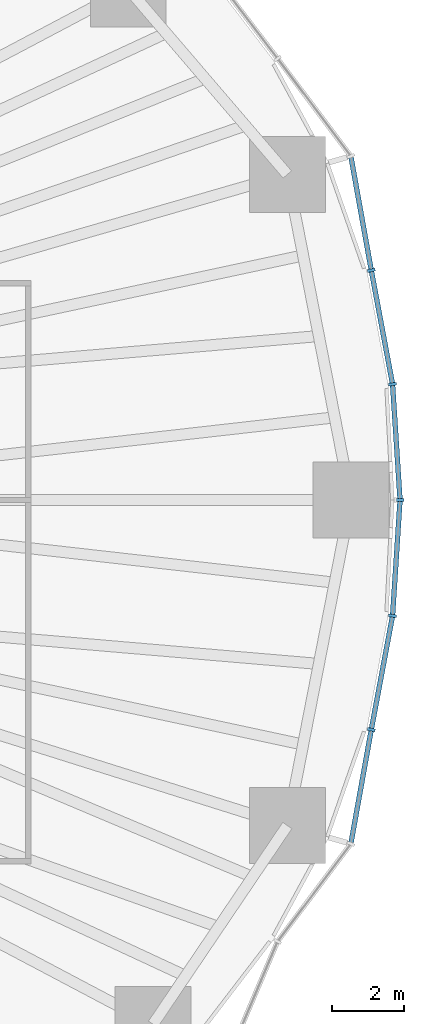
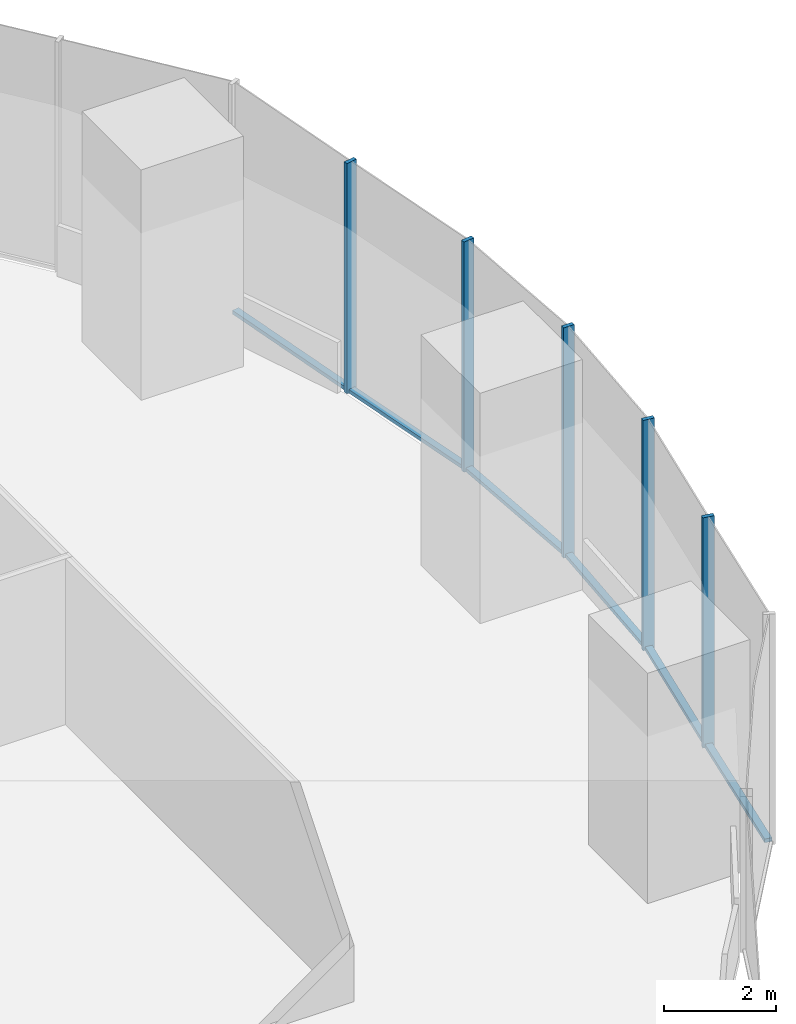
# One storey, part 7 of 20: 11 members, 2 elements without a shape of their own.
"""IFC4 building model written with IfcOpenShell, lengths in metres."""

import ifcopenshell
import ifcopenshell.guid

model = None  # the IFC model being written
_history = None  # IfcOwnerHistory: only IFC2X3 demands one
_inside = {}  # id of a spatial element -> (the spatial element, [elements in it])
_under = {}  # id of a project, library or spatial element -> (it, [spatial elements below it])
_declared = {}  # id of a project -> (the project, [libraries it declares])
_typed = {}  # id of a type object -> (the type object, [elements of that type])
_made_of = {}  # id of a material, layer set ... -> (it, [elements and type objects made of it])


def new_model(schema):
    """Start an empty IFC model of exactly this schema.

    Asked for "IFC4X3", IfcOpenShell would pick the latest addendum, in which some entities
    have other attributes; the version numbers below select the first issue.
    IFC2X3 requires an IfcOwnerHistory on every rooted entity: one is made here for all.
    """
    global model, _history
    if schema == "IFC4X3":
        model = ifcopenshell.file(schema_version=(4, 3, 0, 0))
    else:
        model = ifcopenshell.file(schema=schema)
    _inside.clear()
    _under.clear()
    _declared.clear()
    _typed.clear()
    _made_of.clear()
    _history = None
    if model.schema == "IFC2X3":
        org = make("IfcOrganization", Name="unknown")
        user = make(
            "IfcPersonAndOrganization",
            ThePerson=make("IfcPerson", FamilyName="unknown"),
            TheOrganization=org,
        )
        app = make(
            "IfcApplication",
            ApplicationDeveloper=org,
            Version="unknown",
            ApplicationFullName="unknown",
            ApplicationIdentifier="unknown",
        )
        _history = make(
            "IfcOwnerHistory",
            OwningUser=user,
            OwningApplication=app,
            ChangeAction="ADDED",
            CreationDate=0,
        )
    return model


def make(cls, **values):
    """One entity of the class cls with the attributes given. An attribute that is None is left unset."""
    return model.create_entity(
        cls, **{name: value for name, value in values.items() if value is not None}
    )


def rooted(cls, **values):
    """An entity with a GlobalId (a new one), such as an element, a storey or a relation."""
    return make(cls, GlobalId=ifcopenshell.guid.new(), OwnerHistory=_history, **values)


def si_unit(unit_type, name, prefix=None):
    """IfcSIUnit, for example si_unit("LENGTHUNIT", "METRE", prefix="MILLI")."""
    return make("IfcSIUnit", UnitType=unit_type, Prefix=prefix, Name=name)


def assignment(units):
    """IfcUnitAssignment: the units of a project."""
    return None if units is None else make("IfcUnitAssignment", Units=units)


def point(xyz):
    """IfcCartesianPoint."""
    return None if xyz is None else make("IfcCartesianPoint", Coordinates=xyz)


def direction(xyz):
    """IfcDirection."""
    return None if xyz is None else make("IfcDirection", DirectionRatios=xyz)


def frame(location, z_axis=None, x_axis=None):
    """IfcAxis2Placement3D, a coordinate frame: its origin and axes. An axis left out is left unset."""
    return make(
        "IfcAxis2Placement3D",
        Location=point(location),
        Axis=direction(z_axis),
        RefDirection=direction(x_axis),
    )


def frame_2d(location, x_axis=None):
    """IfcAxis2Placement2D, a coordinate frame in the plane: its origin and x axis."""
    return make(
        "IfcAxis2Placement2D", Location=point(location), RefDirection=direction(x_axis)
    )


def origin():
    """The frame at (0, 0, 0) with its axes left unset."""
    return frame((0.0, 0.0, 0.0))


def origin_2d():
    """The frame at (0, 0) in the plane with its x axis left unset."""
    return frame_2d((0.0, 0.0))


def place(relative_to, where):
    """IfcLocalPlacement: puts the frame where relative to a parent placement (None: the world)."""
    return make(
        "IfcLocalPlacement", PlacementRelTo=relative_to, RelativePlacement=where
    )


def context(
    kind, dimensions, precision=None, world=None, true_north=None, identifier=None
):
    """IfcGeometricRepresentationContext, for example the 3D "Model" context."""
    return make(
        "IfcGeometricRepresentationContext",
        ContextIdentifier=identifier,
        ContextType=kind,
        CoordinateSpaceDimension=dimensions,
        Precision=precision,
        WorldCoordinateSystem=world,
        TrueNorth=true_north,
    )


def subcontext(parent, identifier, kind, view, scale=None):
    """IfcGeometricRepresentationSubContext, for example "Body" below "Model"."""
    return make(
        "IfcGeometricRepresentationSubContext",
        ContextIdentifier=identifier,
        ContextType=kind,
        ParentContext=parent,
        TargetScale=scale,
        TargetView=view,
    )


def project(units=None, contexts=None):
    """IfcProject with its units and contexts."""
    return rooted(
        "IfcProject",
        Name="project",
        RepresentationContexts=contexts,
        UnitsInContext=assignment(units),
    )


def spatial(cls, under=None, at=None, **own):
    """A site, building, storey or space (cls), placed at a placement, below another one or the project."""
    s = rooted(cls, ObjectPlacement=at, **own)
    if under is not None:
        _under.setdefault(under.id(), (under, []))[1].append(s)
    return s


def profile(cls, at=None, kind="AREA", **sizes):
    """A parametric profile (cls). Its sizes go by their IFC names, for example OverallWidth=200.0."""
    return make(cls, ProfileType=kind, Position=at, **sizes)


def rectangle(**sizes):
    """IfcRectangleProfileDef."""
    return profile("IfcRectangleProfileDef", **sizes)


def extrude(swept, where, along, depth):
    """IfcExtrudedAreaSolid: the profile swept, set in the frame where, extruded along a direction by depth."""
    return make(
        "IfcExtrudedAreaSolid",
        SweptArea=swept,
        Position=where,
        ExtrudedDirection=direction(along),
        Depth=depth,
    )


def shape(context_of_items, identifier, shape_type, items):
    """IfcShapeRepresentation: the items that make up one representation, for example the "Body"."""
    return make(
        "IfcShapeRepresentation",
        ContextOfItems=context_of_items,
        RepresentationIdentifier=identifier,
        RepresentationType=shape_type,
        Items=items,
    )


def material(Name=None, Category=None):
    """IfcMaterial."""
    return make("IfcMaterial", Name=Name, Category=Category)


def material_profile(
    of_material, cross_section, Name=None, Category=None, Priority=None
):
    """IfcMaterialProfile: a cross section and its material."""
    return make(
        "IfcMaterialProfile",
        Name=Name,
        Material=of_material,
        Profile=cross_section,
        Priority=Priority,
        Category=Category,
    )


def profile_set(profiles, Name=None, composite=None):
    """IfcMaterialProfileSet."""
    return make(
        "IfcMaterialProfileSet",
        Name=Name,
        MaterialProfiles=profiles,
        CompositeProfile=composite,
    )


def made_of(thing, what):
    """Note that an element or type object is made of a material, layer set ...; save() writes the relation."""
    if what is not None:
        _made_of.setdefault(what.id(), (what, []))[1].append(thing)
    return thing


def type_object(cls, material=None, **own):
    """A type object (cls), such as IfcWallType, which elements share."""
    return made_of(rooted(cls, **own), material)


def element(
    cls,
    number,
    at=None,
    inside=None,
    cuts=None,
    type_object=None,
    material=None,
    context=None,
    identifier="Body",
    shape_type=None,
    held_by="IfcProductDefinitionShape",
    body=None,
    shapes=None,
    **own,
):
    """One element of the class cls, such as IfcWall. Its Tag is "e" and its number.

    at: its placement. inside: the storey or other place that contains it. cuts: it is an
    opening in that element (IfcRelVoidsElement). A single representation is given by context,
    identifier, shape_type and body (its items); several are given by shapes. held_by: the class
    of the entity that holds the representations. save() writes the other relations.
    """
    e = rooted(cls, Tag="e%d" % number, ObjectPlacement=at, **own)
    if body is not None:
        shapes = [shape(context, identifier, shape_type, body)]
    if shapes is not None:
        e.Representation = make(held_by, Representations=shapes)
    if inside is not None:
        _inside.setdefault(inside.id(), (inside, []))[1].append(e)
    if cuts is not None:
        rooted(
            "IfcRelVoidsElement", RelatingBuildingElement=cuts, RelatedOpeningElement=e
        )
    if type_object is not None:
        _typed.setdefault(type_object.id(), (type_object, []))[1].append(e)
    return made_of(e, material)


def aggregate(whole, parts):
    """IfcRelAggregates: a whole, such as a stair, and the parts it consists of."""
    return rooted("IfcRelAggregates", RelatingObject=whole, RelatedObjects=parts)


def save(model, path):
    """Write the relations noted so far, then the file.

    IfcRelAggregates (storeys below a building ...), IfcRelContainedInSpatialStructure (elements
    in a storey), IfcRelDefinesByType, IfcRelAssociatesMaterial and IfcRelDeclares: one each for
    every whole, place, type object, material and project.
    """
    for whole, parts in _under.values():
        aggregate(whole, parts)
    for where, things in _inside.values():
        rooted(
            "IfcRelContainedInSpatialStructure",
            RelatedElements=things,
            RelatingStructure=where,
        )
    for kind, things in _typed.values():
        rooted("IfcRelDefinesByType", RelatedObjects=things, RelatingType=kind)
    for what, things in _made_of.values():
        rooted("IfcRelAssociatesMaterial", RelatedObjects=things, RelatingMaterial=what)
    for by, libraries in _declared.values():
        rooted("IfcRelDeclares", RelatingContext=by, RelatedDefinitions=libraries)
    model.write(path)


model = new_model("IFC4")

# Units and contexts
model_context = context("Model", 3, precision=1e-05, world=origin(), true_north=direction((0.0, 1.0)))
body_context = subcontext(model_context, "Body", "Model", "MODEL_VIEW")
ifc_project = project(units=[si_unit("LENGTHUNIT", "METRE"), si_unit("AREAUNIT", "SQUARE_METRE"), si_unit("VOLUMEUNIT", "CUBIC_METRE"), si_unit("PLANEANGLEUNIT", "RADIAN"), si_unit("MASSUNIT", "GRAM", prefix="KILO")], contexts=[model_context])

# Site, building, storey
site_placement = place(None, origin())
site = spatial("IfcSite", under=ifc_project, at=site_placement, CompositionType="ELEMENT")
building_placement = place(site_placement, origin())
building = spatial("IfcBuilding", under=site, at=building_placement, Name="Ghaith Harvest Tower", CompositionType="ELEMENT")
storey_placement = place(building_placement, frame((0.0, 0.0, 30.0)))
storey = spatial("IfcBuildingStorey", under=building, at=storey_placement, Name="L06", CompositionType="ELEMENT", Elevation=30.0)

# Curtain wall, members
ifc_material_1 = material(Name="Black anodised aluminium and fritted glass", Category="aluminium")
curtain_wall_type = type_object("IfcCurtainWallType", Name="CW-F CURTAIN WALL", PredefinedType="NOTDEFINED", material=ifc_material_1)
curtain_wall_1_placement = place(storey_placement, origin())
curtain_wall_1 = element("IfcCurtainWall", 1, at=curtain_wall_1_placement, inside=storey, type_object=curtain_wall_type, Name="Curtain wall CW-F bay 01 L06", PredefinedType="NOTDEFINED")
ifc_material_2 = material(Name="Aluminium, black anodised", Category="aluminium")
ifc_material_profile_1 = material_profile(ifc_material_2, rectangle(XDim=0.080078125, YDim=0.219970703125, at=origin_2d()), Name="CW-F MULLION 80x220")
ifc_profile_set_1 = profile_set([ifc_material_profile_1], Name="Aluminium, black anodised")
member_type_1 = type_object("IfcMemberType", Name="CW-F MULLION 80x220", PredefinedType="MULLION", material=ifc_profile_set_1)
member_1_placement = place(storey_placement, frame((34.284912109375, 0.0, 0.0), z_axis=(0.0, 0.0, 1.0), x_axis=(1.05e-10, 1.0, 0.0)))
member_1 = element("IfcMember", 2, at=member_1_placement, type_object=member_type_1, Name="CW-F mullion 1 bay 01 L06", PredefinedType="MULLION", context=body_context, shape_type="SweptSolid", body=[
    extrude(rectangle(XDim=0.080078125, YDim=0.219970703125, at=origin_2d()), origin(), (0.0, 0.0, 1.0), 5.0),
])
member_2_placement = place(storey_placement, frame((34.077880859375, 3.205322265625, 0.0), z_axis=(0.0, 0.0, 1.0), x_axis=(-0.12416951168, 0.992261020281, 0.0)))
member_2 = element("IfcMember", 3, at=member_2_placement, type_object=member_type_1, Name="CW-F mullion 2 bay 01 L06", PredefinedType="MULLION", context=body_context, shape_type="SweptSolid", body=[
    extrude(rectangle(XDim=0.080078125, YDim=0.219970703125, at=origin_2d()), origin(), (0.0, 0.0, 1.0), 5.0),
])
member_3_placement = place(storey_placement, frame((33.489501953125, 6.3564453125, 0.0), z_axis=(0.0, 0.0, 1.0), x_axis=(-0.179943325455, 0.98367697931, 0.0)))
member_3 = element("IfcMember", 4, at=member_3_placement, type_object=member_type_1, Name="CW-F mullion 3 bay 01 L06", PredefinedType="MULLION", context=body_context, shape_type="SweptSolid", body=[
    extrude(rectangle(XDim=0.080078125, YDim=0.219970703125, at=origin_2d()), origin(), (0.0, 0.0, 1.0), 5.0),
])

curtain_wall_2_placement = place(storey_placement, origin())
curtain_wall_2 = element("IfcCurtainWall", 5, at=curtain_wall_2_placement, inside=storey, type_object=curtain_wall_type, Name="Curtain wall CW-F bay 20 L06", PredefinedType="NOTDEFINED")
member_4_placement = place(storey_placement, frame((33.489501953125, -6.3564453125, 0.0), z_axis=(0.0, 0.0, 1.0), x_axis=(0.17994332573, 0.98367697926, 0.0)))
member_4 = element("IfcMember", 6, at=member_4_placement, type_object=member_type_1, Name="CW-F mullion 2 bay 20 L06", PredefinedType="MULLION", context=body_context, shape_type="SweptSolid", body=[
    extrude(rectangle(XDim=0.080078125, YDim=0.219970703125, at=origin_2d()), origin(), (0.0, 0.0, 1.0), 5.0),
])
member_5_placement = place(storey_placement, frame((34.077880859375, -3.205322265625, 0.0), z_axis=(0.0, 0.0, 1.0), x_axis=(0.124169511819, 0.992261020264, 0.0)))
member_5 = element("IfcMember", 7, at=member_5_placement, type_object=member_type_1, Name="CW-F mullion 3 bay 20 L06", PredefinedType="MULLION", context=body_context, shape_type="SweptSolid", body=[
    extrude(rectangle(XDim=0.080078125, YDim=0.219970703125, at=origin_2d()), origin(), (0.0, 0.0, 1.0), 5.0),
])

# Member
ifc_material_3 = material(Name="Aluminium, black anodised", Category="aluminium")
ifc_material_profile_2 = material_profile(ifc_material_3, rectangle(XDim=0.139892578125, YDim=0.080078125, at=origin_2d()), Name="CW-F TRANSOM 140x80")
ifc_profile_set_2 = profile_set([ifc_material_profile_2], Name="Aluminium, black anodised")
member_type_2 = type_object("IfcMemberType", Name="CW-F TRANSOM 140x80", PredefinedType="USERDEFINED", material=ifc_profile_set_2)
member_6_placement = place(storey_placement, frame((34.282470703125, 0.039794921875, 0.0400390625), z_axis=(-0.064459898973, 0.997920298132, 0.0), x_axis=(-0.997920298132, -0.064459898973, 0.0)))
member_6 = element("IfcMember", 8, at=member_6_placement, type_object=member_type_2, Name="CW-F transom 1 bay 01 L06", ObjectType="TRANSOM", PredefinedType="USERDEFINED", context=body_context, shape_type="SweptSolid", body=[
    extrude(rectangle(XDim=0.139892578125, YDim=0.080078125, at=origin_2d()), origin(), (0.0, 0.0, 1.0), 3.13232421875),
])

member_7_placement = place(storey_placement, frame((34.070556640625, 3.24462890625, 0.0400390625), z_axis=(-0.183557496381, 0.983008975301, 0.0), x_axis=(-0.983008975301, -0.183557496381, 0.0)))
member_7 = element("IfcMember", 9, at=member_7_placement, type_object=member_type_2, Name="CW-F transom 2 bay 01 L06", ObjectType="TRANSOM", PredefinedType="USERDEFINED", context=body_context, shape_type="SweptSolid", body=[
    extrude(rectangle(XDim=0.139892578125, YDim=0.080078125, at=origin_2d()), origin(), (0.0, 0.0, 1.0), 3.125732421875),
])

member_8_placement = place(storey_placement, frame((33.482421875, 6.395751953125, 0.0400390625), z_axis=(-0.176303612865, 0.984335835013, 0.0), x_axis=(-0.984335835013, -0.176303612865, 0.0)))
member_8 = element("IfcMember", 10, at=member_8_placement, type_object=member_type_2, Name="CW-F transom 3 bay 01 L06", ObjectType="TRANSOM", PredefinedType="USERDEFINED", context=body_context, shape_type="SweptSolid", body=[
    extrude(rectangle(XDim=0.139892578125, YDim=0.080078125, at=origin_2d()), origin(), (0.0, 0.0, 1.0), 3.129638671875),
])

aggregate(curtain_wall_1, [member_1, member_6, member_2, member_7, member_3, member_8])

member_9_placement = place(storey_placement, frame((32.9306640625, -9.476318359375, 0.0400390625), z_axis=(0.176303612865, 0.984335835013, 0.0), x_axis=(-0.984335835013, 0.176303612865, 0.0)))
member_9 = element("IfcMember", 11, at=member_9_placement, type_object=member_type_2, Name="CW-F transom 1 bay 20 L06", ObjectType="TRANSOM", PredefinedType="USERDEFINED", context=body_context, shape_type="SweptSolid", body=[
    extrude(rectangle(XDim=0.139892578125, YDim=0.080078125, at=origin_2d()), origin(), (0.0, 0.0, 1.0), 3.129638671875),
])

member_10_placement = place(storey_placement, frame((33.496826171875, -6.317138671875, 0.0400390625), z_axis=(0.183557496381, 0.983008975301, 0.0), x_axis=(-0.983008975301, 0.183557496381, 0.0)))
member_10 = element("IfcMember", 12, at=member_10_placement, type_object=member_type_2, Name="CW-F transom 2 bay 20 L06", ObjectType="TRANSOM", PredefinedType="USERDEFINED", context=body_context, shape_type="SweptSolid", body=[
    extrude(rectangle(XDim=0.139892578125, YDim=0.080078125, at=origin_2d()), origin(), (0.0, 0.0, 1.0), 3.125732421875),
])

member_11_placement = place(storey_placement, frame((34.08056640625, -3.16552734375, 0.0400390625), z_axis=(0.064459898973, 0.997920298132, 0.0), x_axis=(-0.997920298132, 0.064459898973, 0.0)))
member_11 = element("IfcMember", 13, at=member_11_placement, type_object=member_type_2, Name="CW-F transom 3 bay 20 L06", ObjectType="TRANSOM", PredefinedType="USERDEFINED", context=body_context, shape_type="SweptSolid", body=[
    extrude(rectangle(XDim=0.139892578125, YDim=0.080078125, at=origin_2d()), origin(), (0.0, 0.0, 1.0), 3.13232421875),
])

aggregate(curtain_wall_2, [member_9, member_4, member_10, member_5, member_11])

save(model, "model.ifc")
